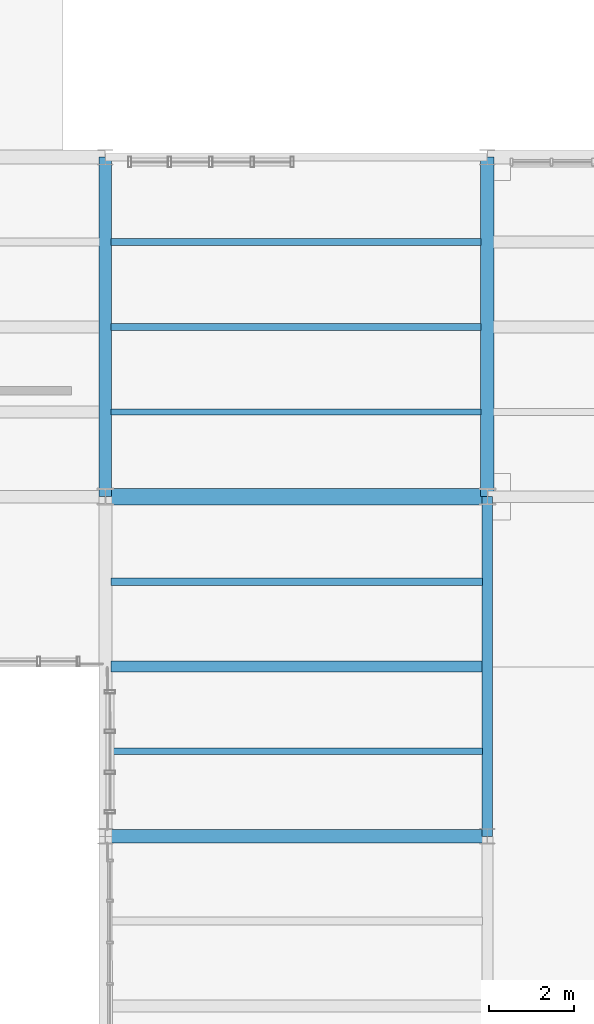
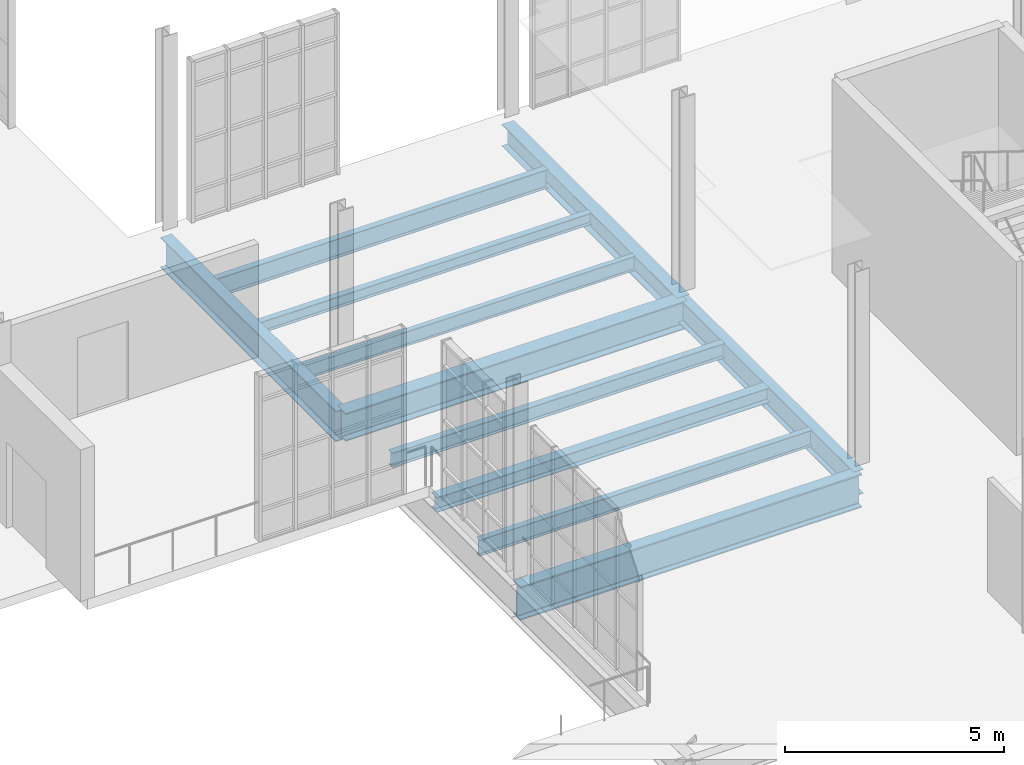
# One storey, part 72 of 189: 11 beams.
"""IFC4 building model written with IfcOpenShell, lengths in metres."""

from ifc_helpers import new_model, si_unit, direction, frame, origin, origin_2d, place, context, subcontext, project, spatial, i_section, extrude, material, material_profile, profile_set, type_object, element, save


model = new_model("IFC4")

# Units and contexts
model_context = context("Model", 3, precision=1e-05, world=origin(), true_north=direction((0.0, 1.0)))
body_context = subcontext(model_context, "Body", "Model", "MODEL_VIEW")
ifc_project = project(units=[si_unit("LENGTHUNIT", "METRE"), si_unit("AREAUNIT", "SQUARE_METRE"), si_unit("VOLUMEUNIT", "CUBIC_METRE"), si_unit("PLANEANGLEUNIT", "RADIAN"), si_unit("MASSUNIT", "GRAM", prefix="KILO"), si_unit("THERMODYNAMICTEMPERATUREUNIT", "KELVIN"), si_unit("POWERUNIT", "WATT")], contexts=[model_context])

# Site, building, storey
site_placement = place(None, origin())
site = spatial("IfcSite", under=ifc_project, at=site_placement, CompositionType="ELEMENT")
building_placement = place(site_placement, origin())
building = spatial("IfcBuilding", under=site, at=building_placement, Name="Zelmaris Science Centre", CompositionType="ELEMENT")
storey_placement = place(building_placement, origin())
storey = spatial("IfcBuildingStorey", under=building, at=storey_placement, Name="L00", CompositionType="ELEMENT", Elevation=0.0)

# Beams
ifc_material = material(Name="Steel ASTM A992 Grade 50", Category="steel")
ifc_material_profile_1 = material_profile(ifc_material, i_section(OverallWidth=0.294921875, OverallDepth=0.85107421875, WebThickness=0.01611328125, FlangeThickness=0.02685546875, FilletRadius=0.02001953125, at=origin_2d()), Name="W33X152")
ifc_profile_set_1 = profile_set([ifc_material_profile_1], Name="Steel ASTM A992 Grade 50")
beam_type_1 = type_object("IfcBeamType", Name="Beam G-06 W33X152", PredefinedType="BEAM", material=ifc_profile_set_1)
beam_1_placement = place(storey_placement, frame((117.0, 48.0, -0.715576171875), z_axis=(0.0, 1.0, 0.0), x_axis=(-1.0, 0.0, 0.0)))
element("IfcBeam", 1, at=beam_1_placement, inside=storey, type_object=beam_type_1, Name="L00 North-south girder 64", PredefinedType="BEAM", context=body_context, shape_type="SweptSolid", body=[
    extrude(i_section(OverallWidth=0.294921875, OverallDepth=0.85107421875, WebThickness=0.01611328125, FlangeThickness=0.02685546875, FilletRadius=0.02001953125, at=origin_2d()), origin(), (0.0, 0.0, 1.0), 8.0),
])
ifc_material_profile_2 = material_profile(ifc_material, i_section(OverallWidth=0.25390625, OverallDepth=0.68310546875, WebThickness=0.012451171875, FlangeThickness=0.018798828125, FilletRadius=0.01806640625, at=origin_2d()), Name="W27X94")
ifc_profile_set_2 = profile_set([ifc_material_profile_2], Name="Steel ASTM A992 Grade 50")
beam_type_2 = type_object("IfcBeamType", Name="Beam G-13 W27X94", PredefinedType="BEAM", material=ifc_profile_set_2)
beam_2_placement = place(storey_placement, frame((126.0, 40.0, -0.631591796875), z_axis=(0.0, 1.0, 0.0), x_axis=(-1.0, 0.0, 0.0)))
element("IfcBeam", 2, at=beam_2_placement, inside=storey, type_object=beam_type_2, Name="L00 North-south girder 69", PredefinedType="BEAM", context=body_context, shape_type="SweptSolid", body=[
    extrude(i_section(OverallWidth=0.25390625, OverallDepth=0.68310546875, WebThickness=0.012451171875, FlangeThickness=0.018798828125, FilletRadius=0.01806640625, at=origin_2d()), origin(), (0.0, 0.0, 1.0), 8.0),
])
ifc_material_profile_3 = material_profile(ifc_material, i_section(OverallWidth=0.324951171875, OverallDepth=0.612060546875, WebThickness=0.0126953125, FlangeThickness=0.01904296875, FilletRadius=0.014892578125, at=origin_2d()), Name="W24X104")
ifc_profile_set_3 = profile_set([ifc_material_profile_3], Name="Steel ASTM A992 Grade 50")
beam_type_3 = type_object("IfcBeamType", Name="Beam G-15 W24X104", PredefinedType="BEAM", material=ifc_profile_set_3)
beam_3_placement = place(storey_placement, frame((126.0, 48.0, -0.595947265625), z_axis=(0.0, 1.0, 0.0), x_axis=(-1.0, 0.0, 0.0)))
element("IfcBeam", 3, at=beam_3_placement, inside=storey, type_object=beam_type_3, Name="L00 North-south girder 70", PredefinedType="BEAM", context=body_context, shape_type="SweptSolid", body=[
    extrude(i_section(OverallWidth=0.324951171875, OverallDepth=0.612060546875, WebThickness=0.0126953125, FlangeThickness=0.01904296875, FilletRadius=0.014892578125, at=origin_2d()), origin(), (0.0, 0.0, 1.0), 8.0),
])
ifc_material_profile_4 = material_profile(ifc_material, i_section(OverallWidth=0.31005859375, OverallDepth=0.931884765625, WebThickness=0.02099609375, FlangeThickness=0.034423828125, FilletRadius=0.02392578125, at=origin_2d()), Name="W36X210")
ifc_profile_set_4 = profile_set([ifc_material_profile_4], Name="Steel ASTM A992 Grade 50")
beam_type_4 = type_object("IfcBeamType", Name="Beam G-25 W36X210", PredefinedType="BEAM", material=ifc_profile_set_4)
beam_4_placement = place(storey_placement, frame((117.0, 40.0, -0.756103515625), z_axis=(1.0, 0.0, 0.0), x_axis=(0.0, 1.0, 0.0)))
element("IfcBeam", 4, at=beam_4_placement, inside=storey, type_object=beam_type_4, Name="L00 East-west girder 138", PredefinedType="BEAM", context=body_context, shape_type="SweptSolid", body=[
    extrude(i_section(OverallWidth=0.31005859375, OverallDepth=0.931884765625, WebThickness=0.02099609375, FlangeThickness=0.034423828125, FilletRadius=0.02392578125, at=origin_2d()), origin(), (0.0, 0.0, 1.0), 9.0),
])
ifc_material_profile_5 = material_profile(ifc_material, i_section(OverallWidth=0.381103515625, OverallDepth=0.777099609375, WebThickness=0.01806640625, FlangeThickness=0.030029296875, FilletRadius=0.01904296875, at=origin_2d()), Name="W30X191")
ifc_profile_set_5 = profile_set([ifc_material_profile_5], Name="Steel ASTM A992 Grade 50")
beam_type_5 = type_object("IfcBeamType", Name="Beam G-31 W30X191", PredefinedType="BEAM", material=ifc_profile_set_5)
beam_5_placement = place(storey_placement, frame((117.0, 48.0, -0.678466796875), z_axis=(1.0, 0.0, 0.0), x_axis=(0.0, 1.0, 0.0)))
element("IfcBeam", 5, at=beam_5_placement, inside=storey, type_object=beam_type_5, Name="L00 East-west girder 144", PredefinedType="BEAM", context=body_context, shape_type="SweptSolid", body=[
    extrude(i_section(OverallWidth=0.381103515625, OverallDepth=0.777099609375, WebThickness=0.01806640625, FlangeThickness=0.030029296875, FilletRadius=0.01904296875, at=origin_2d()), origin(), (0.0, 0.0, 1.0), 9.0),
])
ifc_material_profile_6 = material_profile(ifc_material, i_section(OverallWidth=0.16796875, OverallDepth=0.532958984375, WebThickness=0.01025390625, FlangeThickness=0.0166015625, FilletRadius=0.013916015625, at=origin_2d()), Name="W21X57")
ifc_profile_set_6 = profile_set([ifc_material_profile_6], Name="Steel ASTM A992 Grade 50")
beam_type_6 = type_object("IfcBeamType", Name="Beam J-01 W21X57", PredefinedType="JOIST", material=ifc_profile_set_6)
beam_6_placement = place(storey_placement, frame((117.132568359375, 54.0, -0.556396484375), z_axis=(1.0, 0.0, 0.0), x_axis=(0.0, 1.0, 0.0)))
element("IfcBeam", 6, at=beam_6_placement, inside=storey, type_object=beam_type_6, Name="L00 Composite floor joist 90", PredefinedType="JOIST", context=body_context, shape_type="SweptSolid", body=[
    extrude(i_section(OverallWidth=0.16796875, OverallDepth=0.532958984375, WebThickness=0.01025390625, FlangeThickness=0.0166015625, FilletRadius=0.013916015625, at=origin_2d()), origin(), (0.0, 0.0, 1.0), 8.719970703125),
])
ifc_material_profile_7 = material_profile(ifc_material, i_section(OverallWidth=0.152099609375, OverallDepth=0.455078125, WebThickness=0.008056640625, FlangeThickness=0.01318359375, FilletRadius=0.012939453125, at=origin_2d()), Name="W18X40")
ifc_profile_set_7 = profile_set([ifc_material_profile_7], Name="Steel ASTM A992 Grade 50")
beam_type_7 = type_object("IfcBeamType", Name="Beam J-05 W18X40", PredefinedType="JOIST", material=ifc_profile_set_7)
beam_7_placement = place(storey_placement, frame((117.137451171875, 42.0, -0.517578125), z_axis=(1.0, 0.0, 0.0), x_axis=(0.0, 1.0, 0.0)))
element("IfcBeam", 7, at=beam_7_placement, inside=storey, type_object=beam_type_7, Name="L00 Composite floor joist 85", PredefinedType="JOIST", context=body_context, shape_type="SweptSolid", body=[
    extrude(i_section(OverallWidth=0.152099609375, OverallDepth=0.455078125, WebThickness=0.008056640625, FlangeThickness=0.01318359375, FilletRadius=0.012939453125, at=origin_2d()), origin(), (0.0, 0.0, 1.0), 8.75048828125),
])
ifc_material_profile_8 = material_profile(ifc_material, i_section(OverallWidth=0.260009765625, OverallDepth=0.4140625, WebThickness=0.010009765625, FlangeThickness=0.016845703125, FilletRadius=0.011962890625, at=origin_2d()), Name="W16X67")
ifc_profile_set_8 = profile_set([ifc_material_profile_8], Name="Steel ASTM A992 Grade 50")
beam_type_8 = type_object("IfcBeamType", Name="Beam J-06 W16X67", PredefinedType="JOIST", material=ifc_profile_set_8)
beam_8_placement = place(storey_placement, frame((117.137451171875, 44.0, -0.4970703125), z_axis=(1.0, 0.0, 0.0), x_axis=(0.0, 1.0, 0.0)))
element("IfcBeam", 8, at=beam_8_placement, inside=storey, type_object=beam_type_8, Name="L00 Composite floor joist 86", PredefinedType="JOIST", context=body_context, shape_type="SweptSolid", body=[
    extrude(i_section(OverallWidth=0.260009765625, OverallDepth=0.4140625, WebThickness=0.010009765625, FlangeThickness=0.016845703125, FilletRadius=0.011962890625, at=origin_2d()), origin(), (0.0, 0.0, 1.0), 8.75048828125),
])
ifc_material_profile_9 = material_profile(ifc_material, i_section(OverallWidth=0.177978515625, OverallDepth=0.408935546875, WebThickness=0.0087890625, FlangeThickness=0.014404296875, FilletRadius=0.011962890625, at=origin_2d()), Name="W16X45")
ifc_profile_set_9 = profile_set([ifc_material_profile_9], Name="Steel ASTM A992 Grade 50")
beam_type_9 = type_object("IfcBeamType", Name="Beam J-07 W16X45", PredefinedType="JOIST", material=ifc_profile_set_9)
beam_9_placement = place(storey_placement, frame((117.137451171875, 46.0, -0.494384765625), z_axis=(1.0, 0.0, 0.0), x_axis=(0.0, 1.0, 0.0)))
element("IfcBeam", 9, at=beam_9_placement, inside=storey, type_object=beam_type_9, Name="L00 Composite floor joist 87", PredefinedType="JOIST", context=body_context, shape_type="SweptSolid", body=[
    extrude(i_section(OverallWidth=0.177978515625, OverallDepth=0.408935546875, WebThickness=0.0087890625, FlangeThickness=0.014404296875, FilletRadius=0.011962890625, at=origin_2d()), origin(), (0.0, 0.0, 1.0), 8.75048828125),
])
ifc_material_profile_10 = material_profile(ifc_material, i_section(OverallWidth=0.139892578125, OverallDepth=0.404052734375, WebThickness=0.007080078125, FlangeThickness=0.01123046875, FilletRadius=0.011962890625, at=origin_2d()), Name="W16X31")
ifc_profile_set_10 = profile_set([ifc_material_profile_10], Name="Steel ASTM A992 Grade 50")
beam_type_10 = type_object("IfcBeamType", Name="Beam J-08 W16X31", PredefinedType="JOIST", material=ifc_profile_set_10)
beam_10_placement = place(storey_placement, frame((117.132568359375, 50.0, -0.491943359375), z_axis=(1.0, 0.0, 0.0), x_axis=(0.0, 1.0, 0.0)))
element("IfcBeam", 10, at=beam_10_placement, inside=storey, type_object=beam_type_10, Name="L00 Composite floor joist 88", PredefinedType="JOIST", context=body_context, shape_type="SweptSolid", body=[
    extrude(i_section(OverallWidth=0.139892578125, OverallDepth=0.404052734375, WebThickness=0.007080078125, FlangeThickness=0.01123046875, FilletRadius=0.011962890625, at=origin_2d()), origin(), (0.0, 0.0, 1.0), 8.719970703125),
])
ifc_material_profile_11 = material_profile(ifc_material, i_section(OverallWidth=0.1669921875, OverallDepth=0.318115234375, WebThickness=0.007568359375, FlangeThickness=0.01318359375, FilletRadius=0.011962890625, at=origin_2d()), Name="W12X35")
ifc_profile_set_11 = profile_set([ifc_material_profile_11], Name="Steel ASTM A992 Grade 50")
beam_type_11 = type_object("IfcBeamType", Name="Beam J-09 W12X35", PredefinedType="JOIST", material=ifc_profile_set_11)
beam_11_placement = place(storey_placement, frame((117.132568359375, 52.0, -0.448974609375), z_axis=(1.0, 0.0, 0.0), x_axis=(0.0, 1.0, 0.0)))
element("IfcBeam", 11, at=beam_11_placement, inside=storey, type_object=beam_type_11, Name="L00 Composite floor joist 89", PredefinedType="JOIST", context=body_context, shape_type="SweptSolid", body=[
    extrude(i_section(OverallWidth=0.1669921875, OverallDepth=0.318115234375, WebThickness=0.007568359375, FlangeThickness=0.01318359375, FilletRadius=0.011962890625, at=origin_2d()), origin(), (0.0, 0.0, 1.0), 8.719970703125),
])

save(model, "model.ifc")
